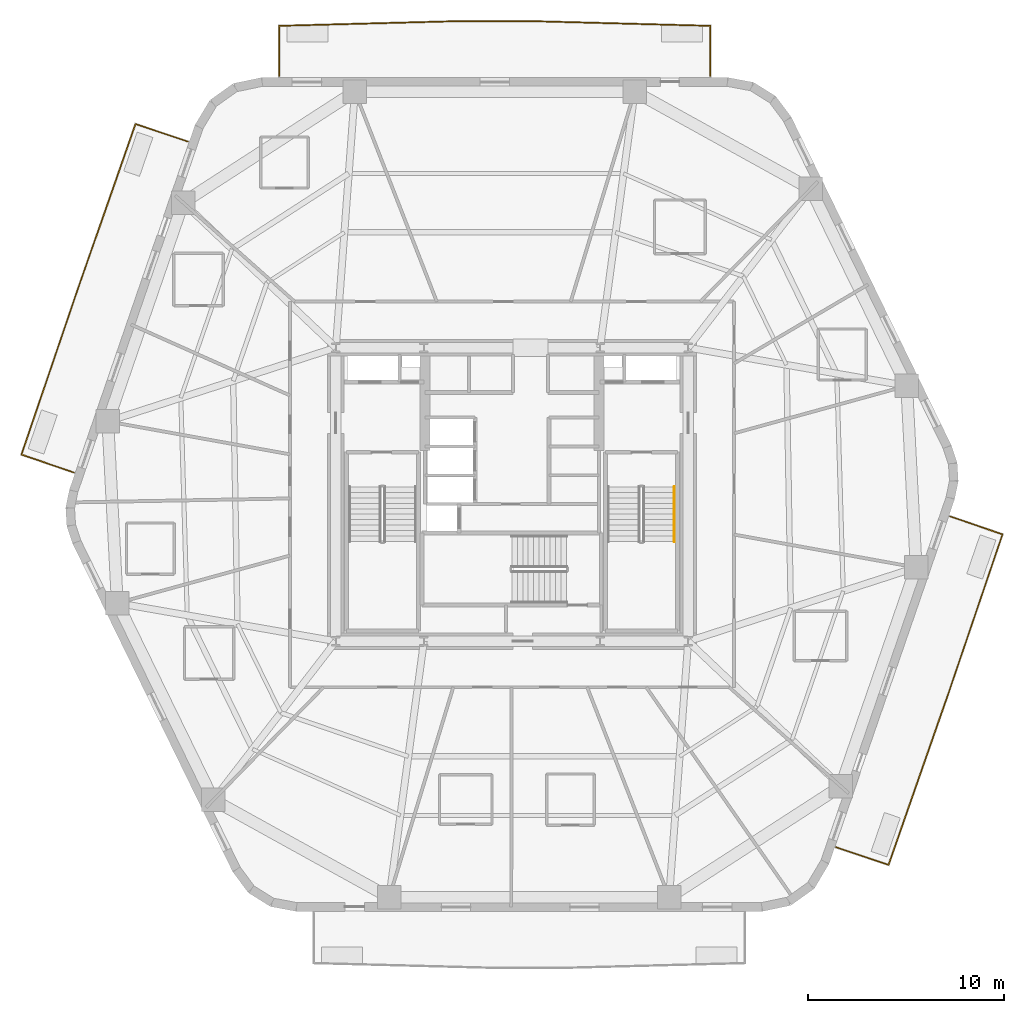
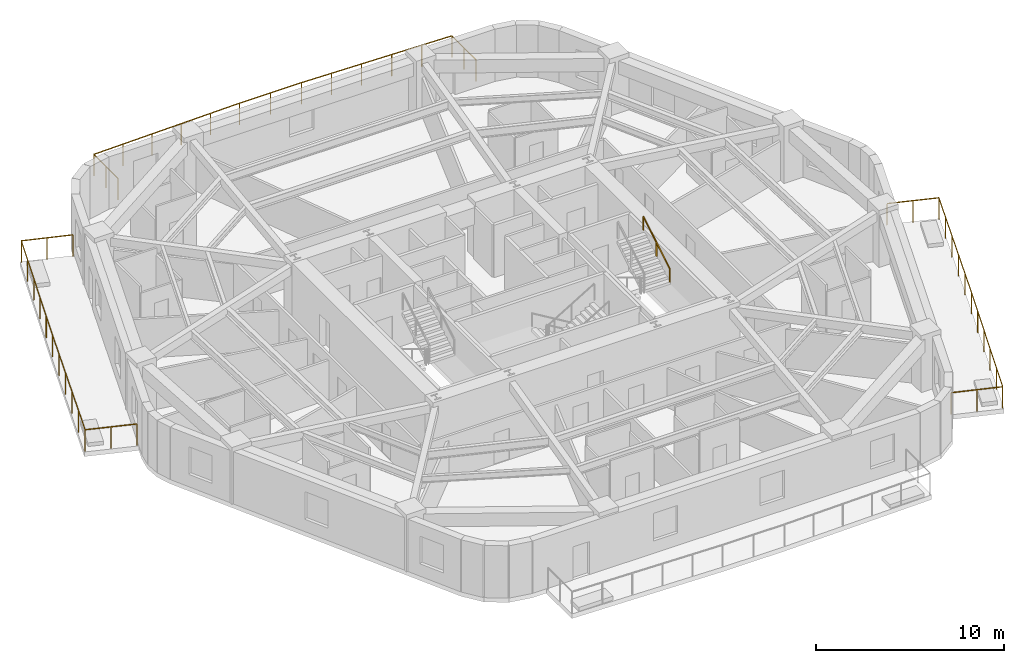
# One storey, part 8 of 8: 4 railings.
"""IFC4 building model written with IfcOpenShell, lengths in metres."""

from ifc_helpers import new_model, si_unit, direction, frame, origin, origin_2d, place, context, subcontext, project, spatial, rectangle, extrude, material, layer, layer_set, type_object, element, save


model = new_model("IFC4")

# Units and contexts
model_context = context("Model", 3, precision=1e-05, world=origin(), true_north=direction((0.0, 1.0)))
body_context = subcontext(model_context, "Body", "Model", "MODEL_VIEW")
ifc_project = project(units=[si_unit("LENGTHUNIT", "METRE"), si_unit("AREAUNIT", "SQUARE_METRE"), si_unit("VOLUMEUNIT", "CUBIC_METRE"), si_unit("PLANEANGLEUNIT", "RADIAN"), si_unit("MASSUNIT", "GRAM", prefix="KILO")], contexts=[model_context])

# Site, building, storey
site_placement = place(None, origin())
site = spatial("IfcSite", under=ifc_project, at=site_placement, CompositionType="ELEMENT")
building_placement = place(site_placement, origin())
building = spatial("IfcBuilding", under=site, at=building_placement, Name="Kilnhurst Terrace Hotel", CompositionType="ELEMENT")
storey_placement = place(building_placement, frame((0.0, 0.0, 109.89990234375)))
storey = spatial("IfcBuildingStorey", under=building, at=storey_placement, Name="L26", CompositionType="ELEMENT", Elevation=109.89990234375)

# Railings
ifc_material_1 = material(Name="Laminated SentryGlas and Stainless Steel AISI 316L Balustrade", Category="steel")
ifc_layer_1 = layer(ifc_material_1, 0.070068359375, Name="Laminated SentryGlas and Stainless Steel AISI 316L Balustrade")
ifc_layer_set_1 = layer_set([ifc_layer_1], Name="Laminated SentryGlas and Stainless Steel AISI 316L Balustrade")
railing_type_1 = type_object("IfcRailingType", Name="RLG-BAL-1420", PredefinedType="BALUSTRADE", material=ifc_layer_set_1)
railing_1_placement = place(storey_placement, frame((22.394287109375, -1.123779296875, 0.0)))
element("IfcRailing", 1, at=railing_1_placement, inside=storey, type_object=railing_type_1, Name="L26 Exterior Terrace Guardrail BAL-L1B.1", PredefinedType="BALUSTRADE", context=body_context, shape_type="SweptSolid", body=[
    extrude(rectangle(XDim=0.048095703125, YDim=0.048095703125, at=origin_2d()), frame((0.0, 0.0, 1.39599609375), z_axis=(0.945999088216, -0.324169284625, 0.0), x_axis=(0.324169284625, 0.945999088216, 0.0)), (0.0, 0.0, 1.0), 2.818115234375),
    extrude(rectangle(XDim=0.048095703125, YDim=0.048095703125, at=origin_2d()), frame((2.666015625, -0.91357421875, 1.39599609375), z_axis=(-0.322236749626, -0.946659113509, 0.0), x_axis=(0.946659113509, -0.322236749626, 0.0)), (0.0, 0.0, 1.0), 8.94921875),
    extrude(rectangle(XDim=0.048095703125, YDim=0.048095703125, at=origin_2d()), frame((-0.2177734375, -9.385498046875, 1.39599609375), z_axis=(-0.329867270016, -0.94402732173, 0.0), x_axis=(0.94402732173, -0.329867270016, 0.0)), (0.0, 0.0, 1.0), 8.9140625),
    extrude(rectangle(XDim=0.048095703125, YDim=0.048095703125, at=origin_2d()), frame((-3.158203125, -17.800537109375, 1.39599609375), z_axis=(-0.948125796951, 0.317895380834, 0.0), x_axis=(-0.317895380834, -0.948125796951, 0.0)), (0.0, 0.0, 1.0), 2.81005859375),
    extrude(rectangle(XDim=0.0419921875, YDim=0.0419921875, at=origin_2d()), origin(), (0.0, 0.0, 1.0), 1.371826171875),
    extrude(rectangle(XDim=0.0419921875, YDim=0.0419921875, at=origin_2d()), frame((1.3330078125, -0.456787109375, 0.0)), (0.0, 0.0, 1.0), 1.371826171875),
    extrude(rectangle(XDim=0.0419921875, YDim=0.0419921875, at=origin_2d()), frame((2.666015625, -0.91357421875, 0.0)), (0.0, 0.0, 1.0), 1.371826171875),
    extrude(rectangle(XDim=0.0419921875, YDim=0.0419921875, at=origin_2d()), frame((2.08935546875, -2.60791015625, 0.0)), (0.0, 0.0, 1.0), 1.371826171875),
    extrude(rectangle(XDim=0.0419921875, YDim=0.0419921875, at=origin_2d()), frame((1.512451171875, -4.30224609375, 0.0)), (0.0, 0.0, 1.0), 1.371826171875),
    extrude(rectangle(XDim=0.0419921875, YDim=0.0419921875, at=origin_2d()), frame((0.935791015625, -5.996826171875, 0.0)), (0.0, 0.0, 1.0), 1.371826171875),
    extrude(rectangle(XDim=0.0419921875, YDim=0.0419921875, at=origin_2d()), frame((0.35888671875, -7.691162109375, 0.0)), (0.0, 0.0, 1.0), 1.371826171875),
    extrude(rectangle(XDim=0.0419921875, YDim=0.0419921875, at=origin_2d()), frame((-0.2177734375, -9.385498046875, 0.0)), (0.0, 0.0, 1.0), 1.371826171875),
    extrude(rectangle(XDim=0.0419921875, YDim=0.0419921875, at=origin_2d()), frame((-0.805908203125, -11.068603515625, 0.0)), (0.0, 0.0, 1.0), 1.371826171875),
    extrude(rectangle(XDim=0.0419921875, YDim=0.0419921875, at=origin_2d()), frame((-1.39404296875, -12.75146484375, 0.0)), (0.0, 0.0, 1.0), 1.371826171875),
    extrude(rectangle(XDim=0.0419921875, YDim=0.0419921875, at=origin_2d()), frame((-1.98193359375, -14.4345703125, 0.0)), (0.0, 0.0, 1.0), 1.371826171875),
    extrude(rectangle(XDim=0.0419921875, YDim=0.0419921875, at=origin_2d()), frame((-2.570068359375, -16.117431640625, 0.0)), (0.0, 0.0, 1.0), 1.371826171875),
    extrude(rectangle(XDim=0.0419921875, YDim=0.0419921875, at=origin_2d()), frame((-3.158203125, -17.800537109375, 0.0)), (0.0, 0.0, 1.0), 1.371826171875),
    extrude(rectangle(XDim=0.0419921875, YDim=0.0419921875, at=origin_2d()), frame((-4.490234375, -17.35400390625, 0.0)), (0.0, 0.0, 1.0), 1.371826171875),
    extrude(rectangle(XDim=0.0419921875, YDim=0.0419921875, at=origin_2d()), frame((-5.822509765625, -16.9072265625, 0.0)), (0.0, 0.0, 1.0), 1.371826171875),
])
railing_2_placement = place(storey_placement, frame((-11.8837890625, 21.3798828125, 0.0)))
element("IfcRailing", 2, at=railing_2_placement, inside=storey, type_object=railing_type_1, Name="L26 Exterior Terrace Guardrail BAL-L2A.1", PredefinedType="BALUSTRADE", context=body_context, shape_type="SweptSolid", body=[
    extrude(rectangle(XDim=0.048095703125, YDim=0.048095703125, at=origin_2d()), frame((0.0, 0.0, 1.39599609375), z_axis=(0.0, 1.0, 0.0), x_axis=(-1.0, 0.0, 0.0)), (0.0, 0.0, 1.0), 2.561767578125),
    extrude(rectangle(XDim=0.048095703125, YDim=0.048095703125, at=origin_2d()), frame((0.0, 2.561767578125, 1.39599609375), z_axis=(0.999657105501, 0.026185328367, 0.0), x_axis=(-0.026185328367, 0.999657105501, 0.0)), (0.0, 0.0, 1.0), 9.099853515625),
    extrude(rectangle(XDim=0.048095703125, YDim=0.048095703125, at=origin_2d()), frame((9.0966796875, 2.800048828125, 1.39599609375), z_axis=(1.0, 0.0, 0.0), x_axis=(0.0, 1.0, 0.0)), (0.0, 0.0, 1.0), 3.8134765625),
    extrude(rectangle(XDim=0.048095703125, YDim=0.048095703125, at=origin_2d()), frame((12.91015625, 2.800048828125, 1.39599609375), z_axis=(0.999657105501, -0.026185328367, 0.0), x_axis=(0.026185328367, 0.999657105501, 0.0)), (0.0, 0.0, 1.0), 9.099853515625),
    extrude(rectangle(XDim=0.048095703125, YDim=0.048095703125, at=origin_2d()), frame((22.0068359375, 2.561767578125, 1.39599609375), z_axis=(0.0, -1.0, 0.0), x_axis=(1.0, 0.0, 0.0)), (0.0, 0.0, 1.0), 2.561767578125),
    extrude(rectangle(XDim=0.0419921875, YDim=0.0419921875, at=origin_2d()), origin(), (0.0, 0.0, 1.0), 1.371826171875),
    extrude(rectangle(XDim=0.0419921875, YDim=0.0419921875, at=origin_2d()), frame((0.0, 1.28076171875, 0.0)), (0.0, 0.0, 1.0), 1.371826171875),
    extrude(rectangle(XDim=0.0419921875, YDim=0.0419921875, at=origin_2d()), frame((0.0, 2.561767578125, 0.0)), (0.0, 0.0, 1.0), 1.371826171875),
    extrude(rectangle(XDim=0.0419921875, YDim=0.0419921875, at=origin_2d()), frame((1.8193359375, 2.609375, 0.0)), (0.0, 0.0, 1.0), 1.371826171875),
    extrude(rectangle(XDim=0.0419921875, YDim=0.0419921875, at=origin_2d()), frame((3.638671875, 2.656982421875, 0.0)), (0.0, 0.0, 1.0), 1.371826171875),
    extrude(rectangle(XDim=0.0419921875, YDim=0.0419921875, at=origin_2d()), frame((5.4580078125, 2.704833984375, 0.0)), (0.0, 0.0, 1.0), 1.371826171875),
    extrude(rectangle(XDim=0.0419921875, YDim=0.0419921875, at=origin_2d()), frame((7.27734375, 2.75244140625, 0.0)), (0.0, 0.0, 1.0), 1.371826171875),
    extrude(rectangle(XDim=0.0419921875, YDim=0.0419921875, at=origin_2d()), frame((9.0966796875, 2.800048828125, 0.0)), (0.0, 0.0, 1.0), 1.371826171875),
    extrude(rectangle(XDim=0.0419921875, YDim=0.0419921875, at=origin_2d()), frame((11.00341796875, 2.800048828125, 0.0)), (0.0, 0.0, 1.0), 1.371826171875),
    extrude(rectangle(XDim=0.0419921875, YDim=0.0419921875, at=origin_2d()), frame((12.91015625, 2.800048828125, 0.0)), (0.0, 0.0, 1.0), 1.371826171875),
    extrude(rectangle(XDim=0.0419921875, YDim=0.0419921875, at=origin_2d()), frame((14.7294921875, 2.75244140625, 0.0)), (0.0, 0.0, 1.0), 1.371826171875),
    extrude(rectangle(XDim=0.0419921875, YDim=0.0419921875, at=origin_2d()), frame((16.548828125, 2.704833984375, 0.0)), (0.0, 0.0, 1.0), 1.371826171875),
    extrude(rectangle(XDim=0.0419921875, YDim=0.0419921875, at=origin_2d()), frame((18.3681640625, 2.656982421875, 0.0)), (0.0, 0.0, 1.0), 1.371826171875),
    extrude(rectangle(XDim=0.0419921875, YDim=0.0419921875, at=origin_2d()), frame((20.1875, 2.609375, 0.0)), (0.0, 0.0, 1.0), 1.371826171875),
    extrude(rectangle(XDim=0.0419921875, YDim=0.0419921875, at=origin_2d()), frame((22.0068359375, 2.561767578125, 0.0)), (0.0, 0.0, 1.0), 1.371826171875),
    extrude(rectangle(XDim=0.0419921875, YDim=0.0419921875, at=origin_2d()), frame((22.0068359375, 1.28076171875, 0.0)), (0.0, 0.0, 1.0), 1.371826171875),
    extrude(rectangle(XDim=0.0419921875, YDim=0.0419921875, at=origin_2d()), frame((22.0068359375, 0.0, 0.0)), (0.0, 0.0, 1.0), 1.371826171875),
])
railing_3_placement = place(storey_placement, frame((-22.394287109375, 1.123779296875, 0.0)))
element("IfcRailing", 3, at=railing_3_placement, inside=storey, type_object=railing_type_1, Name="L26 Exterior Terrace Guardrail BAL-L2B.1", PredefinedType="BALUSTRADE", context=body_context, shape_type="SweptSolid", body=[
    extrude(rectangle(XDim=0.048095703125, YDim=0.048095703125, at=origin_2d()), frame((0.0, 0.0, 1.39599609375), z_axis=(-0.945999088216, 0.324169284625, 0.0), x_axis=(-0.324169284625, -0.945999088216, 0.0)), (0.0, 0.0, 1.0), 2.818115234375),
    extrude(rectangle(XDim=0.048095703125, YDim=0.048095703125, at=origin_2d()), frame((-2.666015625, 0.91357421875, 1.39599609375), z_axis=(0.322236749626, 0.946659113509, 0.0), x_axis=(-0.946659113509, 0.322236749626, 0.0)), (0.0, 0.0, 1.0), 8.94921875),
    extrude(rectangle(XDim=0.048095703125, YDim=0.048095703125, at=origin_2d()), frame((0.2177734375, 9.385498046875, 1.39599609375), z_axis=(0.329867270016, 0.94402732173, 0.0), x_axis=(-0.94402732173, 0.329867270016, 0.0)), (0.0, 0.0, 1.0), 8.9140625),
    extrude(rectangle(XDim=0.048095703125, YDim=0.048095703125, at=origin_2d()), frame((3.158203125, 17.800537109375, 1.39599609375), z_axis=(0.948125796951, -0.317895380834, 0.0), x_axis=(0.317895380834, 0.948125796951, 0.0)), (0.0, 0.0, 1.0), 2.81005859375),
    extrude(rectangle(XDim=0.0419921875, YDim=0.0419921875, at=origin_2d()), origin(), (0.0, 0.0, 1.0), 1.371826171875),
    extrude(rectangle(XDim=0.0419921875, YDim=0.0419921875, at=origin_2d()), frame((-1.3330078125, 0.456787109375, 0.0)), (0.0, 0.0, 1.0), 1.371826171875),
    extrude(rectangle(XDim=0.0419921875, YDim=0.0419921875, at=origin_2d()), frame((-2.666015625, 0.91357421875, 0.0)), (0.0, 0.0, 1.0), 1.371826171875),
    extrude(rectangle(XDim=0.0419921875, YDim=0.0419921875, at=origin_2d()), frame((-2.08935546875, 2.60791015625, 0.0)), (0.0, 0.0, 1.0), 1.371826171875),
    extrude(rectangle(XDim=0.0419921875, YDim=0.0419921875, at=origin_2d()), frame((-1.512451171875, 4.30224609375, 0.0)), (0.0, 0.0, 1.0), 1.371826171875),
    extrude(rectangle(XDim=0.0419921875, YDim=0.0419921875, at=origin_2d()), frame((-0.935791015625, 5.996826171875, 0.0)), (0.0, 0.0, 1.0), 1.371826171875),
    extrude(rectangle(XDim=0.0419921875, YDim=0.0419921875, at=origin_2d()), frame((-0.35888671875, 7.691162109375, 0.0)), (0.0, 0.0, 1.0), 1.371826171875),
    extrude(rectangle(XDim=0.0419921875, YDim=0.0419921875, at=origin_2d()), frame((0.2177734375, 9.385498046875, 0.0)), (0.0, 0.0, 1.0), 1.371826171875),
    extrude(rectangle(XDim=0.0419921875, YDim=0.0419921875, at=origin_2d()), frame((0.805908203125, 11.068603515625, 0.0)), (0.0, 0.0, 1.0), 1.371826171875),
    extrude(rectangle(XDim=0.0419921875, YDim=0.0419921875, at=origin_2d()), frame((1.39404296875, 12.75146484375, 0.0)), (0.0, 0.0, 1.0), 1.371826171875),
    extrude(rectangle(XDim=0.0419921875, YDim=0.0419921875, at=origin_2d()), frame((1.98193359375, 14.4345703125, 0.0)), (0.0, 0.0, 1.0), 1.371826171875),
    extrude(rectangle(XDim=0.0419921875, YDim=0.0419921875, at=origin_2d()), frame((2.570068359375, 16.117431640625, 0.0)), (0.0, 0.0, 1.0), 1.371826171875),
    extrude(rectangle(XDim=0.0419921875, YDim=0.0419921875, at=origin_2d()), frame((3.158203125, 17.800537109375, 0.0)), (0.0, 0.0, 1.0), 1.371826171875),
    extrude(rectangle(XDim=0.0419921875, YDim=0.0419921875, at=origin_2d()), frame((4.490234375, 17.35400390625, 0.0)), (0.0, 0.0, 1.0), 1.371826171875),
    extrude(rectangle(XDim=0.0419921875, YDim=0.0419921875, at=origin_2d()), frame((5.822509765625, 16.9072265625, 0.0)), (0.0, 0.0, 1.0), 1.371826171875),
])
ifc_material_2 = material(Name="Brushed Stainless Steel AISI 304", Category="steel")
ifc_layer_2 = layer(ifc_material_2, 0.048095703125, Name="Brushed Stainless Steel AISI 304")
ifc_layer_set_2 = layer_set([ifc_layer_2], Name="Brushed Stainless Steel AISI 304")
railing_type_2 = type_object("IfcRailingType", Name="RLG-ST-HRL-900", PredefinedType="HANDRAIL", material=ifc_layer_set_2)
railing_4_placement = place(storey_placement, frame((8.300048828125, -2.409912109375, 2.018310546875)))
element("IfcRailing", 4, at=railing_4_placement, inside=storey, type_object=railing_type_2, Name="L26 ST-2 stair handrail 2", PredefinedType="HANDRAIL", context=body_context, shape_type="SweptSolid", body=[
    extrude(rectangle(XDim=0.048095703125, YDim=0.048095703125, at=origin_2d()), frame((0.0, 0.0, 0.8759765625), z_axis=(0.0, 0.857222391501, 0.514946377315), x_axis=(-1.0, 0.0, 0.0)), (0.0, 0.0, 1.0), 3.26611328125),
    extrude(rectangle(XDim=0.0419921875, YDim=0.0419921875, at=origin_2d()), origin(), (0.0, 0.0, 1.0), 0.851806640625),
    extrude(rectangle(XDim=0.0419921875, YDim=0.0419921875, at=origin_2d()), frame((0.0, 1.39990234375, 0.8408203125)), (0.0, 0.0, 1.0), 0.851806640625),
    extrude(rectangle(XDim=0.0419921875, YDim=0.0419921875, at=origin_2d()), frame((0.0, 2.7998046875, 1.681884765625)), (0.0, 0.0, 1.0), 0.851806640625),
])

save(model, "model.ifc")
